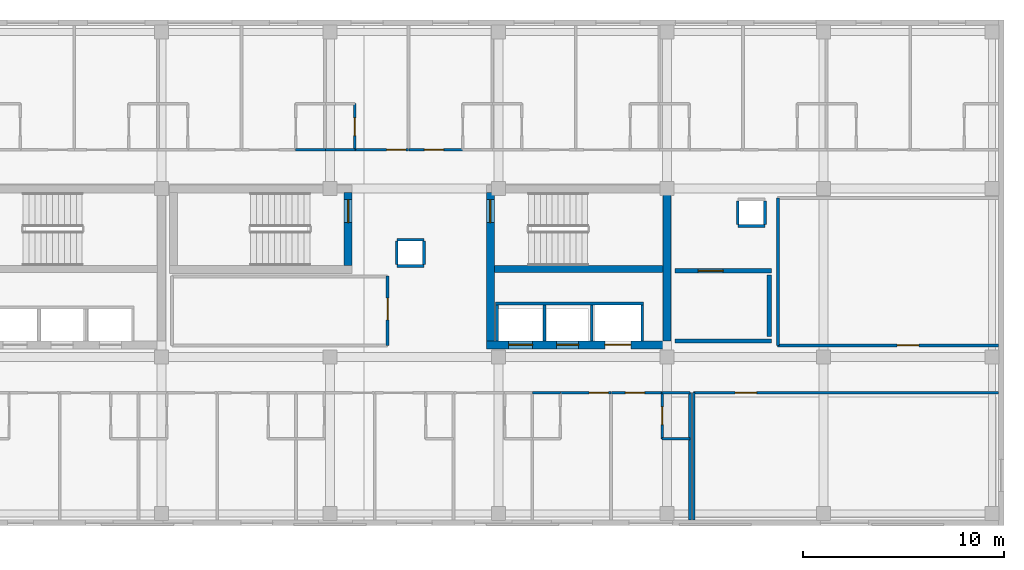
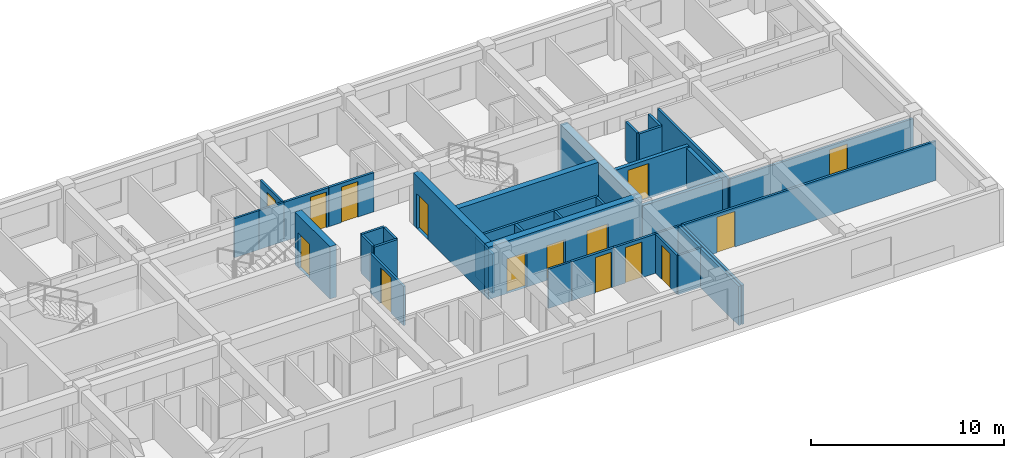
# One storey, part 6 of 10: 37 walls, 15 doors, 15 openings.
"""IFC4 building model written with IfcOpenShell, lengths in metres."""

import ifcopenshell
import ifcopenshell.guid

model = None  # the IFC model being written
_history = None  # IfcOwnerHistory: only IFC2X3 demands one
_inside = {}  # id of a spatial element -> (the spatial element, [elements in it])
_under = {}  # id of a project, library or spatial element -> (it, [spatial elements below it])
_declared = {}  # id of a project -> (the project, [libraries it declares])
_typed = {}  # id of a type object -> (the type object, [elements of that type])
_made_of = {}  # id of a material, layer set ... -> (it, [elements and type objects made of it])


def new_model(schema):
    """Start an empty IFC model of exactly this schema.

    Asked for "IFC4X3", IfcOpenShell would pick the latest addendum, in which some entities
    have other attributes; the version numbers below select the first issue.
    IFC2X3 requires an IfcOwnerHistory on every rooted entity: one is made here for all.
    """
    global model, _history
    if schema == "IFC4X3":
        model = ifcopenshell.file(schema_version=(4, 3, 0, 0))
    else:
        model = ifcopenshell.file(schema=schema)
    _inside.clear()
    _under.clear()
    _declared.clear()
    _typed.clear()
    _made_of.clear()
    _history = None
    if model.schema == "IFC2X3":
        org = make("IfcOrganization", Name="unknown")
        user = make(
            "IfcPersonAndOrganization",
            ThePerson=make("IfcPerson", FamilyName="unknown"),
            TheOrganization=org,
        )
        app = make(
            "IfcApplication",
            ApplicationDeveloper=org,
            Version="unknown",
            ApplicationFullName="unknown",
            ApplicationIdentifier="unknown",
        )
        _history = make(
            "IfcOwnerHistory",
            OwningUser=user,
            OwningApplication=app,
            ChangeAction="ADDED",
            CreationDate=0,
        )
    return model


def make(cls, **values):
    """One entity of the class cls with the attributes given. An attribute that is None is left unset."""
    return model.create_entity(
        cls, **{name: value for name, value in values.items() if value is not None}
    )


def rooted(cls, **values):
    """An entity with a GlobalId (a new one), such as an element, a storey or a relation."""
    return make(cls, GlobalId=ifcopenshell.guid.new(), OwnerHistory=_history, **values)


def si_unit(unit_type, name, prefix=None):
    """IfcSIUnit, for example si_unit("LENGTHUNIT", "METRE", prefix="MILLI")."""
    return make("IfcSIUnit", UnitType=unit_type, Prefix=prefix, Name=name)


def assignment(units):
    """IfcUnitAssignment: the units of a project."""
    return None if units is None else make("IfcUnitAssignment", Units=units)


def point(xyz):
    """IfcCartesianPoint."""
    return None if xyz is None else make("IfcCartesianPoint", Coordinates=xyz)


def direction(xyz):
    """IfcDirection."""
    return None if xyz is None else make("IfcDirection", DirectionRatios=xyz)


def frame(location, z_axis=None, x_axis=None):
    """IfcAxis2Placement3D, a coordinate frame: its origin and axes. An axis left out is left unset."""
    return make(
        "IfcAxis2Placement3D",
        Location=point(location),
        Axis=direction(z_axis),
        RefDirection=direction(x_axis),
    )


def frame_2d(location, x_axis=None):
    """IfcAxis2Placement2D, a coordinate frame in the plane: its origin and x axis."""
    return make(
        "IfcAxis2Placement2D", Location=point(location), RefDirection=direction(x_axis)
    )


def origin():
    """The frame at (0, 0, 0) with its axes left unset."""
    return frame((0.0, 0.0, 0.0))


def place(relative_to, where):
    """IfcLocalPlacement: puts the frame where relative to a parent placement (None: the world)."""
    return make(
        "IfcLocalPlacement", PlacementRelTo=relative_to, RelativePlacement=where
    )


def context(
    kind, dimensions, precision=None, world=None, true_north=None, identifier=None
):
    """IfcGeometricRepresentationContext, for example the 3D "Model" context."""
    return make(
        "IfcGeometricRepresentationContext",
        ContextIdentifier=identifier,
        ContextType=kind,
        CoordinateSpaceDimension=dimensions,
        Precision=precision,
        WorldCoordinateSystem=world,
        TrueNorth=true_north,
    )


def subcontext(parent, identifier, kind, view, scale=None):
    """IfcGeometricRepresentationSubContext, for example "Body" below "Model"."""
    return make(
        "IfcGeometricRepresentationSubContext",
        ContextIdentifier=identifier,
        ContextType=kind,
        ParentContext=parent,
        TargetScale=scale,
        TargetView=view,
    )


def project(units=None, contexts=None):
    """IfcProject with its units and contexts."""
    return rooted(
        "IfcProject",
        Name="project",
        RepresentationContexts=contexts,
        UnitsInContext=assignment(units),
    )


def spatial(cls, under=None, at=None, **own):
    """A site, building, storey or space (cls), placed at a placement, below another one or the project."""
    s = rooted(cls, ObjectPlacement=at, **own)
    if under is not None:
        _under.setdefault(under.id(), (under, []))[1].append(s)
    return s


def profile(cls, at=None, kind="AREA", **sizes):
    """A parametric profile (cls). Its sizes go by their IFC names, for example OverallWidth=200.0."""
    return make(cls, ProfileType=kind, Position=at, **sizes)


def rectangle(**sizes):
    """IfcRectangleProfileDef."""
    return profile("IfcRectangleProfileDef", **sizes)


def extrude(swept, where, along, depth):
    """IfcExtrudedAreaSolid: the profile swept, set in the frame where, extruded along a direction by depth."""
    return make(
        "IfcExtrudedAreaSolid",
        SweptArea=swept,
        Position=where,
        ExtrudedDirection=direction(along),
        Depth=depth,
    )


def shape(context_of_items, identifier, shape_type, items):
    """IfcShapeRepresentation: the items that make up one representation, for example the "Body"."""
    return make(
        "IfcShapeRepresentation",
        ContextOfItems=context_of_items,
        RepresentationIdentifier=identifier,
        RepresentationType=shape_type,
        Items=items,
    )


def material(Name=None, Category=None):
    """IfcMaterial."""
    return make("IfcMaterial", Name=Name, Category=Category)


def layer(
    of_material, thickness, ventilated=None, Name=None, Category=None, Priority=None
):
    """IfcMaterialLayer: one layer of a wall or slab, of a material (None: an air gap)."""
    return make(
        "IfcMaterialLayer",
        Material=of_material,
        LayerThickness=thickness,
        IsVentilated=ventilated,
        Name=Name,
        Category=Category,
        Priority=Priority,
    )


def layer_set(layers, Name=None):
    """IfcMaterialLayerSet."""
    return make("IfcMaterialLayerSet", MaterialLayers=layers, LayerSetName=Name)


def made_of(thing, what):
    """Note that an element or type object is made of a material, layer set ...; save() writes the relation."""
    if what is not None:
        _made_of.setdefault(what.id(), (what, []))[1].append(thing)
    return thing


def type_object(cls, material=None, **own):
    """A type object (cls), such as IfcWallType, which elements share."""
    return made_of(rooted(cls, **own), material)


def element(
    cls,
    number,
    at=None,
    inside=None,
    cuts=None,
    type_object=None,
    material=None,
    context=None,
    identifier="Body",
    shape_type=None,
    held_by="IfcProductDefinitionShape",
    body=None,
    shapes=None,
    **own,
):
    """One element of the class cls, such as IfcWall. Its Tag is "e" and its number.

    at: its placement. inside: the storey or other place that contains it. cuts: it is an
    opening in that element (IfcRelVoidsElement). A single representation is given by context,
    identifier, shape_type and body (its items); several are given by shapes. held_by: the class
    of the entity that holds the representations. save() writes the other relations.
    """
    e = rooted(cls, Tag="e%d" % number, ObjectPlacement=at, **own)
    if body is not None:
        shapes = [shape(context, identifier, shape_type, body)]
    if shapes is not None:
        e.Representation = make(held_by, Representations=shapes)
    if inside is not None:
        _inside.setdefault(inside.id(), (inside, []))[1].append(e)
    if cuts is not None:
        rooted(
            "IfcRelVoidsElement", RelatingBuildingElement=cuts, RelatedOpeningElement=e
        )
    if type_object is not None:
        _typed.setdefault(type_object.id(), (type_object, []))[1].append(e)
    return made_of(e, material)


def fill(opening, filler):
    """IfcRelFillsElement: the door or window that sits in an opening."""
    return rooted(
        "IfcRelFillsElement",
        RelatingOpeningElement=opening,
        RelatedBuildingElement=filler,
    )


def aggregate(whole, parts):
    """IfcRelAggregates: a whole, such as a stair, and the parts it consists of."""
    return rooted("IfcRelAggregates", RelatingObject=whole, RelatedObjects=parts)


def save(model, path):
    """Write the relations noted so far, then the file.

    IfcRelAggregates (storeys below a building ...), IfcRelContainedInSpatialStructure (elements
    in a storey), IfcRelDefinesByType, IfcRelAssociatesMaterial and IfcRelDeclares: one each for
    every whole, place, type object, material and project.
    """
    for whole, parts in _under.values():
        aggregate(whole, parts)
    for where, things in _inside.values():
        rooted(
            "IfcRelContainedInSpatialStructure",
            RelatedElements=things,
            RelatingStructure=where,
        )
    for kind, things in _typed.values():
        rooted("IfcRelDefinesByType", RelatedObjects=things, RelatingType=kind)
    for what, things in _made_of.values():
        rooted("IfcRelAssociatesMaterial", RelatedObjects=things, RelatingMaterial=what)
    for by, libraries in _declared.values():
        rooted("IfcRelDeclares", RelatingContext=by, RelatedDefinitions=libraries)
    model.write(path)


model = new_model("IFC4")

# Units and contexts
model_context = context("Model", 3, precision=1e-05, world=origin(), true_north=direction((0.0, 1.0)))
body_context = subcontext(model_context, "Body", "Model", "MODEL_VIEW")
ifc_project = project(units=[si_unit("LENGTHUNIT", "METRE"), si_unit("AREAUNIT", "SQUARE_METRE"), si_unit("VOLUMEUNIT", "CUBIC_METRE"), si_unit("PLANEANGLEUNIT", "RADIAN"), si_unit("MASSUNIT", "GRAM", prefix="KILO")], contexts=[model_context])

# Site, building, storey
site_placement = place(None, origin())
site = spatial("IfcSite", under=ifc_project, at=site_placement, CompositionType="ELEMENT")
building_placement = place(site_placement, origin())
building = spatial("IfcBuilding", under=site, at=building_placement, Name="Zayran Congress Hotel", CompositionType="ELEMENT")
storey_placement = place(building_placement, frame((0.0, 0.0, 30.0)))
storey = spatial("IfcBuildingStorey", under=building, at=storey_placement, Name="L07", CompositionType="ELEMENT", Elevation=30.0)

# Wall, openings, doors
ifc_material_1 = material(Name="Concrete C40/50", Category="concrete")
ifc_layer_1 = layer(ifc_material_1, 0.39990234375)
ifc_layer_set_1 = layer_set([ifc_layer_1], Name="Concrete C40/50")
wall_type_1 = type_object("IfcWallType", Name="WL-SH-400", PredefinedType="SHEAR", material=ifc_layer_set_1)
wall_1_placement = place(storey_placement, frame((49.800048828125, 17.800048828125, 0.0), z_axis=(0.0, 0.0, 1.0), x_axis=(1.0, 0.0, 0.0)))
wall_1 = element("IfcWall", 1, at=wall_1_placement, inside=storey, type_object=wall_type_1, Name="CWALL-C-V5E-L07-S", PredefinedType="SHEAR", context=body_context, shape_type="SweptSolid", body=[
    extrude(rectangle(XDim=9.199951171875, YDim=0.39990234375, at=frame_2d((4.60009765625, 0.0))), origin(), (0.0, 0.0, 1.0), 3.320068359375),
])
opening_1_placement = place(wall_1_placement, frame((1.10009765625, 0.0, 0.0)))
opening_1 = element("IfcOpeningElement", 2, at=opening_1_placement, cuts=wall_1, Name="Opening LD-FL02", PredefinedType="OPENING", context=body_context, shape_type="SweptSolid", body=[
    extrude(rectangle(XDim=1.199951171875, YDim=2.199951171875, at=frame_2d((0.60009765625, 1.10009765625))), frame((0.0, 0.2099609375, 0.0), z_axis=(0.0, -1.0, 0.0), x_axis=(1.0, 0.0, 0.0)), (0.0, 0.0, 1.0), 0.419921875),
])
opening_2_placement = place(wall_1_placement, frame((3.5, 0.0, 0.0)))
opening_2 = element("IfcOpeningElement", 3, at=opening_2_placement, cuts=wall_1, Name="Opening LD-PL03", PredefinedType="OPENING", context=body_context, shape_type="SweptSolid", body=[
    extrude(rectangle(XDim=1.10009765625, YDim=2.199951171875, at=frame_2d((0.550048828125, 1.10009765625))), frame((0.0, 0.2099609375, 0.0), z_axis=(0.0, -1.0, 0.0), x_axis=(1.0, 0.0, 0.0)), (0.0, 0.0, 1.0), 0.419921875),
])
opening_3_placement = place(wall_1_placement, frame((5.89990234375, 0.0, 0.0)))
opening_3 = element("IfcOpeningElement", 4, at=opening_3_placement, cuts=wall_1, Name="Opening LD-SV01", PredefinedType="OPENING", context=body_context, shape_type="SweptSolid", body=[
    extrude(rectangle(XDim=1.300048828125, YDim=2.300048828125, at=frame_2d((0.64990234375, 1.14990234375))), frame((0.0, 0.2099609375, 0.0), z_axis=(0.0, -1.0, 0.0), x_axis=(1.0, 0.0, 0.0)), (0.0, 0.0, 1.0), 0.419921875),
])
ifc_material_2 = material(Name="Brushed stainless steel sliding lift landing door", Category="steel")
door_type_1 = type_object("IfcDoorType", Name="TP-DR-LD-01", OperationType="DOUBLE_DOOR_SLIDING", PredefinedType="DOOR", material=ifc_material_2)
door_1_placement = place(opening_2_placement, origin())
door_1 = element("IfcDoor", 5, at=door_1_placement, inside=storey, type_object=door_type_1, Name="Lift PL-03 Sliding Landing Door L07", OperationType="DOUBLE_DOOR_SLIDING", OverallHeight=2.199951171875, OverallWidth=1.10009765625, PredefinedType="DOOR", context=body_context, shape_type="SweptSolid", body=[
    extrude(rectangle(XDim=1.10009765625, YDim=2.199951171875, at=frame_2d((0.550048828125, 1.10009765625))), frame((0.0, 0.02490234375, 0.0), z_axis=(0.0, -1.0, 0.0), x_axis=(1.0, 0.0, 0.0)), (0.0, 0.0, 1.0), 0.050048828125),
])
fill(opening_2, door_1)
ifc_material_3 = material(Name="Brushed stainless steel firefighting lift landing door", Category="steel")
door_type_2 = type_object("IfcDoorType", Name="TP-DR-LD-02", OperationType="DOUBLE_DOOR_SLIDING", PredefinedType="DOOR", material=ifc_material_3)
door_2_placement = place(opening_1_placement, origin())
door_2 = element("IfcDoor", 6, at=door_2_placement, inside=storey, type_object=door_type_2, Name="Lift FL-02 Sliding Landing Door L07", OperationType="DOUBLE_DOOR_SLIDING", OverallHeight=2.199951171875, OverallWidth=1.199951171875, PredefinedType="DOOR", context=body_context, shape_type="SweptSolid", body=[
    extrude(rectangle(XDim=1.199951171875, YDim=2.199951171875, at=frame_2d((0.60009765625, 1.10009765625))), frame((0.0, 0.02490234375, 0.0), z_axis=(0.0, -1.0, 0.0), x_axis=(1.0, 0.0, 0.0)), (0.0, 0.0, 1.0), 0.050048828125),
])
fill(opening_1, door_2)
ifc_material_4 = material(Name="Heavy-duty stainless steel service lift landing door", Category="steel")
door_type_3 = type_object("IfcDoorType", Name="TP-DR-LD-03", OperationType="DOUBLE_DOOR_SLIDING", PredefinedType="DOOR", material=ifc_material_4)
door_3_placement = place(opening_3_placement, origin())
door_3 = element("IfcDoor", 7, at=door_3_placement, inside=storey, type_object=door_type_3, Name="Lift SV-01 Sliding Landing Door L07", OperationType="DOUBLE_DOOR_SLIDING", OverallHeight=2.300048828125, OverallWidth=1.300048828125, PredefinedType="DOOR", context=body_context, shape_type="SweptSolid", body=[
    extrude(rectangle(XDim=1.300048828125, YDim=2.300048828125, at=frame_2d((0.64990234375, 1.14990234375))), frame((0.0, 0.02490234375, 0.0), z_axis=(0.0, -1.0, 0.0), x_axis=(1.0, 0.0, 0.0)), (0.0, 0.0, 1.0), 0.050048828125),
])
fill(opening_3, door_3)

# Wall, opening, door
wall_2_placement = place(storey_placement, frame((50.0, 25.39990234375, 0.0), z_axis=(0.0, 0.0, 1.0), x_axis=(0.0, -1.0, 0.0)))
wall_2 = element("IfcWall", 8, at=wall_2_placement, inside=storey, type_object=wall_type_1, Name="CWALL-C-V5E-L07-W", PredefinedType="SHEAR", context=body_context, shape_type="SweptSolid", body=[
    extrude(rectangle(XDim=7.39990234375, YDim=0.39990234375, at=frame_2d((3.699951171875, 0.0))), origin(), (0.0, 0.0, 1.0), 3.320068359375),
])
opening_4_placement = place(wall_2_placement, frame((0.35009765625, 0.0, 0.0)))
opening_4 = element("IfcOpeningElement", 9, at=opening_4_placement, cuts=wall_2, Name="Opening DR-FD-90", PredefinedType="OPENING", context=body_context, shape_type="SweptSolid", body=[
    extrude(rectangle(XDim=1.14990234375, YDim=2.199951171875, at=frame_2d((0.574951171875, 1.10009765625))), frame((0.0, 0.2099609375, 0.0), z_axis=(0.0, -1.0, 0.0), x_axis=(1.0, 0.0, 0.0)), (0.0, 0.0, 1.0), 0.419921875),
])
ifc_material_5 = material(Name="Painted steel fire door assembly", Category="steel")
door_type_4 = type_object("IfcDoorType", Name="TP-DR-FD-90", OperationType="NOTDEFINED", PredefinedType="DOOR", material=ifc_material_5)
door_4_placement = place(opening_4_placement, origin())
door_4 = element("IfcDoor", 10, at=door_4_placement, inside=storey, type_object=door_type_4, Name="ST-02 Exit Stair Door L07", OperationType="SINGLE_SWING_LEFT", OverallHeight=2.199951171875, OverallWidth=1.14990234375, PredefinedType="DOOR", context=body_context, shape_type="SweptSolid", body=[
    extrude(rectangle(XDim=1.14990234375, YDim=2.199951171875, at=frame_2d((0.574951171875, 1.10009765625))), frame((0.0, 0.02490234375, 0.0), z_axis=(0.0, -1.0, 0.0), x_axis=(1.0, 0.0, 0.0)), (0.0, 0.0, 1.0), 0.050048828125),
])
fill(opening_4, door_4)

# Wall
wall_3_placement = place(storey_placement, frame((58.800048828125, 18.0, 0.0), z_axis=(0.0, 0.0, 1.0), x_axis=(0.0, 1.0, 0.0)))
element("IfcWall", 11, at=wall_3_placement, inside=storey, type_object=wall_type_1, Name="CWALL-C-V5E-L07-E", PredefinedType="SHEAR", context=body_context, shape_type="SweptSolid", body=[
    extrude(rectangle(XDim=7.39990234375, YDim=0.39990234375, at=frame_2d((3.699951171875, 0.0))), origin(), (0.0, 0.0, 1.0), 3.320068359375),
])

# Wall, opening, door
wall_4_placement = place(storey_placement, frame((42.89990234375, 21.760009765625, 0.0), z_axis=(0.0, 0.0, 1.0), x_axis=(0.0, 1.0, 0.0)))
wall_4 = element("IfcWall", 12, at=wall_4_placement, inside=storey, type_object=wall_type_1, Name="CWALL-C-V5M-L07-E", PredefinedType="SHEAR", context=body_context, shape_type="SweptSolid", body=[
    extrude(rectangle(XDim=3.639892578125, YDim=0.39990234375, at=frame_2d((1.81982421875, 0.0))), origin(), (0.0, 0.0, 1.0), 3.320068359375),
])
opening_5_placement = place(wall_4_placement, frame((2.139892578125, 0.0, 0.0)))
opening_5 = element("IfcOpeningElement", 13, at=opening_5_placement, cuts=wall_4, Name="Opening DR-FD-90", PredefinedType="OPENING", context=body_context, shape_type="SweptSolid", body=[
    extrude(rectangle(XDim=1.14990234375, YDim=2.199951171875, at=frame_2d((0.574951171875, 1.10009765625))), frame((0.0, 0.2099609375, 0.0), z_axis=(0.0, -1.0, 0.0), x_axis=(1.0, 0.0, 0.0)), (0.0, 0.0, 1.0), 0.419921875),
])
door_5_placement = place(opening_5_placement, origin())
door_5 = element("IfcDoor", 14, at=door_5_placement, inside=storey, type_object=door_type_4, Name="ST-13 Exit Stair Door L07", OperationType="SINGLE_SWING_LEFT", OverallHeight=2.199951171875, OverallWidth=1.14990234375, PredefinedType="DOOR", context=body_context, shape_type="SweptSolid", body=[
    extrude(rectangle(XDim=1.14990234375, YDim=2.199951171875, at=frame_2d((0.574951171875, 1.10009765625))), frame((0.0, 0.02490234375, 0.0), z_axis=(0.0, -1.0, 0.0), x_axis=(1.0, 0.0, 0.0)), (0.0, 0.0, 1.0), 0.050048828125),
])
fill(opening_5, door_5)

# Walls
ifc_layer_2 = layer(ifc_material_1, 0.35009765625)
ifc_layer_set_2 = layer_set([ifc_layer_2], Name="Concrete C40/50")
wall_type_2 = type_object("IfcWallType", Name="WL-SH-350", PredefinedType="SHEAR", material=ifc_layer_set_2)
wall_5_placement = place(storey_placement, frame((50.199951171875, 21.5849609375, 0.0), z_axis=(0.0, 0.0, 1.0), x_axis=(1.0, 0.0, 0.0)))
element("IfcWall", 15, at=wall_5_placement, inside=storey, type_object=wall_type_2, Name="CWALL-C-V5E-L07-SPN", PredefinedType="SHEAR", context=body_context, shape_type="SweptSolid", body=[
    extrude(rectangle(XDim=8.400146484375, YDim=0.35009765625, at=frame_2d((4.2001953125, 0.0))), origin(), (0.0, 0.0, 1.0), 3.320068359375),
])
ifc_material_6 = material(Name="Concrete C32/40 fire wall", Category="concrete")
ifc_layer_3 = layer(ifc_material_6, 0.219970703125)
ifc_layer_set_3 = layer_set([ifc_layer_3], Name="Concrete C32/40 fire wall")
wall_type_3 = type_object("IfcWallType", Name="WL-FF-220", PredefinedType="SOLIDWALL", material=ifc_layer_set_3)
wall_6_placement = place(storey_placement, frame((59.199951171875, 18.0, 0.0), z_axis=(0.0, 0.0, 1.0), x_axis=(1.0, 0.0, 0.0)))
element("IfcWall", 16, at=wall_6_placement, inside=storey, type_object=wall_type_3, Name="FFWL-C-V5E-L07-S", PredefinedType="SOLIDWALL", context=body_context, shape_type="SweptSolid", body=[
    extrude(rectangle(XDim=4.800048828125, YDim=0.219970703125, at=frame_2d((2.39990234375, 0.0))), origin(), (0.0, 0.0, 1.0), 2.469970703125),
])

# Wall, opening, door
wall_7_placement = place(storey_placement, frame((59.199951171875, 21.5, 0.0), z_axis=(0.0, 0.0, 1.0), x_axis=(1.0, 0.0, 0.0)))
wall_7 = element("IfcWall", 17, at=wall_7_placement, inside=storey, type_object=wall_type_3, Name="FFWL-C-V5E-L07-N", PredefinedType="SOLIDWALL", context=body_context, shape_type="SweptSolid", body=[
    extrude(rectangle(XDim=4.800048828125, YDim=0.219970703125, at=frame_2d((2.39990234375, 0.0))), origin(), (0.0, 0.0, 1.0), 2.469970703125),
])
opening_6_placement = place(wall_7_placement, frame((1.14990234375, 0.0, 0.0)))
opening_6 = element("IfcOpeningElement", 18, at=opening_6_placement, cuts=wall_7, Name="Opening DR-FF-60", PredefinedType="OPENING", context=body_context, shape_type="SweptSolid", body=[
    extrude(rectangle(XDim=1.25, YDim=2.199951171875, at=frame_2d((0.625, 1.10009765625))), frame((0.0, 0.119873046875, 0.0), z_axis=(0.0, -1.0, 0.0), x_axis=(1.0, 0.0, 0.0)), (0.0, 0.0, 1.0), 0.239990234375),
])
ifc_material_7 = material(Name="Painted steel smoke-seal fire door", Category="steel")
door_type_5 = type_object("IfcDoorType", Name="TP-DR-FF-60", OperationType="NOTDEFINED", PredefinedType="DOOR", material=ifc_material_7)
door_6_placement = place(opening_6_placement, origin())
door_6 = element("IfcDoor", 19, at=door_6_placement, inside=storey, type_object=door_type_5, Name="Firefighting Lift Lobby Door C-V5E L07", OperationType="SINGLE_SWING_RIGHT", OverallHeight=2.199951171875, OverallWidth=1.25, PredefinedType="DOOR", context=body_context, shape_type="SweptSolid", body=[
    extrude(rectangle(XDim=1.25, YDim=2.199951171875, at=frame_2d((0.625, 1.10009765625))), frame((0.0, 0.02490234375, 0.0), z_axis=(0.0, -1.0, 0.0), x_axis=(1.0, 0.0, 0.0)), (0.0, 0.0, 1.0), 0.050048828125),
])
fill(opening_6, door_6)

# Walls
wall_8_placement = place(storey_placement, frame((63.889892578125, 18.219970703125, 0.0), z_axis=(0.0, 0.0, 1.0), x_axis=(0.0, 1.0, 0.0)))
element("IfcWall", 20, at=wall_8_placement, inside=storey, type_object=wall_type_3, Name="FFWL-C-V5E-L07-SD", PredefinedType="SOLIDWALL", context=body_context, shape_type="SweptSolid", body=[
    extrude(rectangle(XDim=3.06005859375, YDim=0.219970703125, at=frame_2d((1.530029296875, 0.0))), origin(), (0.0, 0.0, 1.0), 2.469970703125),
])
ifc_material_8 = material(Name="Hospitality guestroom acoustic partition", Category="gypsum")
ifc_layer_4 = layer(ifc_material_8, 0.139892578125)
ifc_layer_set_4 = layer_set([ifc_layer_4], Name="Hospitality guestroom acoustic partition")
wall_type_4 = type_object("IfcWallType", Name="WL-PT-140", PredefinedType="PARTITIONING", material=ifc_layer_set_4)
for number, where, z_axis, x_axis, name in (
    (21, (50.330078125, 18.0, 0.0), (0.0, 0.0, 1.0), (0.0, 1.0, 0.0), "LSHW-C-V5E-L07-W"),
    (22, (52.699951171875, 18.0, 0.0), (0.0, 0.0, 1.0), (0.0, 1.0, 0.0), "LSHW-C-V5E-L07-DIV1"),
    (23, (55.050048828125, 18.0, 0.0), (0.0, 0.0, 1.0), (0.0, 1.0, 0.0), "LSHW-C-V5E-L07-DIV2"),
    (24, (57.570068359375, 18.0, 0.0), (0.0, 0.0, 1.0), (0.0, 1.0, 0.0), "LSHW-C-V5E-L07-E"),
):
    element("IfcWall", number, at=place(storey_placement, frame(where, z_axis=z_axis, x_axis=x_axis)), inside=storey, type_object=wall_type_4, Name=name, PredefinedType="PARTITIONING", context=body_context, shape_type="SweptSolid", body=[
        extrude(rectangle(XDim=1.800048828125, YDim=0.139892578125, at=frame_2d((0.89990234375, 0.0))), origin(), (0.0, 0.0, 1.0), 2.469970703125),
    ])
wall_9_placement = place(storey_placement, frame((50.260009765625, 19.8701171875, 0.0), z_axis=(0.0, 0.0, 1.0), x_axis=(1.0, 0.0, 0.0)))
element("IfcWall", 25, at=wall_9_placement, inside=storey, type_object=wall_type_4, Name="LSHW-C-V5E-L07-N", PredefinedType="PARTITIONING", context=body_context, shape_type="SweptSolid", body=[
    extrude(rectangle(XDim=7.3798828125, YDim=0.139892578125, at=frame_2d((3.68994140625, 0.0))), origin(), (0.0, 0.0, 1.0), 2.469970703125),
])

# Wall, opening, door
wall_10_placement = place(storey_placement, frame((44.8701171875, 17.77001953125, 0.0), z_axis=(0.0, 0.0, 1.0), x_axis=(0.0, 1.0, 0.0)))
wall_10 = element("IfcWall", 26, at=wall_10_placement, inside=storey, type_object=wall_type_4, Name="IW-L07-0722", PredefinedType="PARTITIONING", context=body_context, shape_type="SweptSolid", body=[
    extrude(rectangle(XDim=3.4599609375, YDim=0.139892578125, at=frame_2d((1.72998046875, 0.0))), origin(), (0.0, 0.0, 1.0), 2.47998046875),
])
opening_7_placement = place(wall_10_placement, frame((1.283935546875, 0.0, 0.0)))
opening_7 = element("IfcOpeningElement", 27, at=opening_7_placement, cuts=wall_10, Name="Opening DR-MT-01", PredefinedType="OPENING", context=body_context, shape_type="SweptSolid", body=[
    extrude(rectangle(XDim=1.080078125, YDim=2.25, at=frame_2d((0.5400390625, 1.125))), frame((0.0, 0.079833984375, 0.0), z_axis=(0.0, -1.0, 0.0), x_axis=(1.0, 0.0, 0.0)), (0.0, 0.0, 1.0), 0.159912109375),
])
ifc_material_9 = material(Name="Acoustic timber seminar room door", Category="wood")
door_type_6 = type_object("IfcDoorType", Name="TP-DR-MT-01", OperationType="NOTDEFINED", PredefinedType="DOOR", material=ifc_material_9)
door_7_placement = place(opening_7_placement, origin())
door_7 = element("IfcDoor", 28, at=door_7_placement, inside=storey, type_object=door_type_6, Name="Hospitality Gallery Lounge L07 Door", OperationType="SINGLE_SWING_RIGHT", OverallHeight=2.25, OverallWidth=1.080078125, PredefinedType="DOOR", context=body_context, shape_type="SweptSolid", body=[
    extrude(rectangle(XDim=1.080078125, YDim=2.25, at=frame_2d((0.5400390625, 1.125))), frame((0.0, 0.02490234375, 0.0), z_axis=(0.0, -1.0, 0.0), x_axis=(1.0, 0.0, 0.0)), (0.0, 0.0, 1.0), 0.050048828125),
])
fill(opening_7, door_7)

wall_11_placement = place(storey_placement, frame((64.320068359375, 17.780029296875, 0.0), z_axis=(0.0, 0.0, 1.0), x_axis=(1.0, 0.0, 0.0)))
wall_11 = element("IfcWall", 29, at=wall_11_placement, inside=storey, type_object=wall_type_4, Name="IW-L07-0724", PredefinedType="PARTITIONING", context=body_context, shape_type="SweptSolid", body=[
    extrude(rectangle(XDim=11.0, YDim=0.139892578125, at=frame_2d((5.5, 0.0))), origin(), (0.0, 0.0, 1.0), 2.47998046875),
])
opening_8_placement = place(wall_11_placement, frame((5.9580078125, 0.0, 0.0)))
opening_8 = element("IfcOpeningElement", 30, at=opening_8_placement, cuts=wall_11, Name="Opening DR-MT-01", PredefinedType="OPENING", context=body_context, shape_type="SweptSolid", body=[
    extrude(rectangle(XDim=1.080078125, YDim=2.25, at=frame_2d((0.5400390625, 1.125))), frame((0.0, 0.079833984375, 0.0), z_axis=(0.0, -1.0, 0.0), x_axis=(1.0, 0.0, 0.0)), (0.0, 0.0, 1.0), 0.159912109375),
])
door_8_placement = place(opening_8_placement, origin())
door_8 = element("IfcDoor", 31, at=door_8_placement, inside=storey, type_object=door_type_6, Name="Delegate Study Salon East L07 Door", OperationType="SINGLE_SWING_RIGHT", OverallHeight=2.25, OverallWidth=1.080078125, PredefinedType="DOOR", context=body_context, shape_type="SweptSolid", body=[
    extrude(rectangle(XDim=1.080078125, YDim=2.25, at=frame_2d((0.5400390625, 1.125))), frame((0.0, 0.02490234375, 0.0), z_axis=(0.0, -1.0, 0.0), x_axis=(1.0, 0.0, 0.0)), (0.0, 0.0, 1.0), 0.050048828125),
])
fill(opening_8, door_8)

wall_12_placement = place(storey_placement, frame((60.1201171875, 15.419921875, 0.0), z_axis=(0.0, 0.0, 1.0), x_axis=(1.0, 0.0, 0.0)))
wall_12 = element("IfcWall", 32, at=wall_12_placement, inside=storey, type_object=wall_type_4, Name="IW-L07-0725", PredefinedType="PARTITIONING", context=body_context, shape_type="SweptSolid", body=[
    extrude(rectangle(XDim=15.199951171875, YDim=0.139892578125, at=frame_2d((7.60009765625, 0.0))), origin(), (0.0, 0.0, 1.0), 2.47998046875),
])
opening_9_placement = place(wall_12_placement, frame((2.071044921875, 0.0, 0.0)))
opening_9 = element("IfcOpeningElement", 33, at=opening_9_placement, cuts=wall_12, Name="Opening DR-MT-01", PredefinedType="OPENING", context=body_context, shape_type="SweptSolid", body=[
    extrude(rectangle(XDim=1.080078125, YDim=2.25, at=frame_2d((0.5400390625, 1.125))), frame((0.0, 0.079833984375, 0.0), z_axis=(0.0, -1.0, 0.0), x_axis=(1.0, 0.0, 0.0)), (0.0, 0.0, 1.0), 0.159912109375),
])
door_9_placement = place(opening_9_placement, origin())
door_9 = element("IfcDoor", 34, at=door_9_placement, inside=storey, type_object=door_type_6, Name="Executive Club Lounge L07 Door", OperationType="SINGLE_SWING_LEFT", OverallHeight=2.25, OverallWidth=1.080078125, PredefinedType="DOOR", context=body_context, shape_type="SweptSolid", body=[
    extrude(rectangle(XDim=1.080078125, YDim=2.25, at=frame_2d((0.5400390625, 1.125))), frame((0.0, 0.02490234375, 0.0), z_axis=(0.0, -1.0, 0.0), x_axis=(1.0, 0.0, 0.0)), (0.0, 0.0, 1.0), 0.050048828125),
])
fill(opening_9, door_9)

wall_13_placement = place(storey_placement, frame((53.489013671875, 15.419921875, 0.0), z_axis=(0.0, 0.0, 1.0), x_axis=(1.0, 0.0, 0.0)))
wall_13 = element("IfcWall", 35, at=wall_13_placement, inside=storey, type_object=wall_type_4, Name="IW-L07-0737", PredefinedType="PARTITIONING", context=body_context, shape_type="SweptSolid", body=[
    extrude(rectangle(XDim=2.52392578125, YDim=0.139892578125, at=frame_2d((1.261962890625, 0.0))), origin(), (0.0, 0.0, 1.0), 2.47998046875),
])
opening_10_placement = place(wall_13_placement, frame((1.424072265625, 0.0, 0.0)))
opening_10 = element("IfcOpeningElement", 36, at=opening_10_placement, cuts=wall_13, Name="Opening DR-GR-03", PredefinedType="OPENING", context=body_context, shape_type="SweptSolid", body=[
    extrude(rectangle(XDim=0.9599609375, YDim=2.25, at=frame_2d((0.47998046875, 1.125))), frame((0.0, 0.079833984375, 0.0), z_axis=(0.0, -1.0, 0.0), x_axis=(1.0, 0.0, 0.0)), (0.0, 0.0, 1.0), 0.159912109375),
])
ifc_material_10 = material(Name="Executive walnut veneer entry door", Category="wood")
door_type_7 = type_object("IfcDoorType", Name="TP-DR-GR-03", OperationType="NOTDEFINED", PredefinedType="DOOR", material=ifc_material_10)
door_10_placement = place(opening_10_placement, origin())
door_10 = element("IfcDoor", 37, at=door_10_placement, inside=storey, type_object=door_type_7, Name="Guest Room L07-12 Door", OperationType="SINGLE_SWING_LEFT", OverallHeight=2.25, OverallWidth=0.9599609375, PredefinedType="DOOR", context=body_context, shape_type="SweptSolid", body=[
    extrude(rectangle(XDim=0.9599609375, YDim=2.25, at=frame_2d((0.47998046875, 1.125))), frame((0.0, 0.02490234375, 0.0), z_axis=(0.0, -1.0, 0.0), x_axis=(1.0, 0.0, 0.0)), (0.0, 0.0, 1.0), 0.050048828125),
])
fill(opening_10, door_10)

wall_14_placement = place(storey_placement, frame((56.032958984375, 15.419921875, 0.0), z_axis=(0.0, 0.0, 1.0), x_axis=(1.0, 0.0, 0.0)))
wall_14 = element("IfcWall", 38, at=wall_14_placement, inside=storey, type_object=wall_type_4, Name="IW-L07-0738", PredefinedType="PARTITIONING", context=body_context, shape_type="SweptSolid", body=[
    extrude(rectangle(XDim=2.52392578125, YDim=0.139892578125, at=frame_2d((1.261962890625, 0.0))), origin(), (0.0, 0.0, 1.0), 2.47998046875),
])
opening_11_placement = place(wall_14_placement, frame((0.68994140625, 0.0, 0.0)))
opening_11 = element("IfcOpeningElement", 39, at=opening_11_placement, cuts=wall_14, Name="Opening DR-GR-03", PredefinedType="OPENING", context=body_context, shape_type="SweptSolid", body=[
    extrude(rectangle(XDim=0.9599609375, YDim=2.25, at=frame_2d((0.47998046875, 1.125))), frame((0.0, 0.079833984375, 0.0), z_axis=(0.0, -1.0, 0.0), x_axis=(1.0, 0.0, 0.0)), (0.0, 0.0, 1.0), 0.159912109375),
])
door_11_placement = place(opening_11_placement, origin())
door_11 = element("IfcDoor", 40, at=door_11_placement, inside=storey, type_object=door_type_7, Name="Guest Room L07-13 Door", OperationType="SINGLE_SWING_RIGHT", OverallHeight=2.25, OverallWidth=0.9599609375, PredefinedType="DOOR", context=body_context, shape_type="SweptSolid", body=[
    extrude(rectangle(XDim=0.9599609375, YDim=2.25, at=frame_2d((0.47998046875, 1.125))), frame((0.0, 0.02490234375, 0.0), z_axis=(0.0, -1.0, 0.0), x_axis=(1.0, 0.0, 0.0)), (0.0, 0.0, 1.0), 0.050048828125),
])
fill(opening_11, door_11)

wall_15_placement = place(storey_placement, frame((43.237060546875, 27.530029296875, 0.0), z_axis=(0.0, 0.0, 1.0), x_axis=(1.0, 0.0, 0.0)))
wall_15 = element("IfcWall", 41, at=wall_15_placement, inside=storey, type_object=wall_type_4, Name="IW-L07-0746", PredefinedType="PARTITIONING", context=body_context, shape_type="SweptSolid", body=[
    extrude(rectangle(XDim=2.68505859375, YDim=0.139892578125, at=frame_2d((1.342529296875, 0.0))), origin(), (0.0, 0.0, 1.0), 2.47998046875),
])
opening_12_placement = place(wall_15_placement, frame((1.5849609375, 0.0, 0.0)))
opening_12 = element("IfcOpeningElement", 42, at=opening_12_placement, cuts=wall_15, Name="Opening DR-GR-03", PredefinedType="OPENING", context=body_context, shape_type="SweptSolid", body=[
    extrude(rectangle(XDim=0.9599609375, YDim=2.25, at=frame_2d((0.47998046875, 1.125))), frame((0.0, 0.079833984375, 0.0), z_axis=(0.0, -1.0, 0.0), x_axis=(1.0, 0.0, 0.0)), (0.0, 0.0, 1.0), 0.159912109375),
])
door_12_placement = place(opening_12_placement, origin())
door_12 = element("IfcDoor", 43, at=door_12_placement, inside=storey, type_object=door_type_7, Name="Guest Room L07-19 Door", OperationType="SINGLE_SWING_RIGHT", OverallHeight=2.25, OverallWidth=0.9599609375, PredefinedType="DOOR", context=body_context, shape_type="SweptSolid", body=[
    extrude(rectangle(XDim=0.9599609375, YDim=2.25, at=frame_2d((0.47998046875, 1.125))), frame((0.0, 0.02490234375, 0.0), z_axis=(0.0, -1.0, 0.0), x_axis=(1.0, 0.0, 0.0)), (0.0, 0.0, 1.0), 0.050048828125),
])
fill(opening_12, door_12)

wall_16_placement = place(storey_placement, frame((45.94189453125, 27.530029296875, 0.0), z_axis=(0.0, 0.0, 1.0), x_axis=(1.0, 0.0, 0.0)))
wall_16 = element("IfcWall", 44, at=wall_16_placement, inside=storey, type_object=wall_type_4, Name="IW-L07-0747", PredefinedType="PARTITIONING", context=body_context, shape_type="SweptSolid", body=[
    extrude(rectangle(XDim=2.68408203125, YDim=0.139892578125, at=frame_2d((1.342041015625, 0.0))), origin(), (0.0, 0.0, 1.0), 2.47998046875),
])
opening_13_placement = place(wall_16_placement, frame((0.759033203125, 0.0, 0.0)))
opening_13 = element("IfcOpeningElement", 45, at=opening_13_placement, cuts=wall_16, Name="Opening DR-GR-03", PredefinedType="OPENING", context=body_context, shape_type="SweptSolid", body=[
    extrude(rectangle(XDim=0.9599609375, YDim=2.25, at=frame_2d((0.47998046875, 1.125))), frame((0.0, 0.079833984375, 0.0), z_axis=(0.0, -1.0, 0.0), x_axis=(1.0, 0.0, 0.0)), (0.0, 0.0, 1.0), 0.159912109375),
])
door_13_placement = place(opening_13_placement, origin())
door_13 = element("IfcDoor", 46, at=door_13_placement, inside=storey, type_object=door_type_7, Name="Guest Room L07-20 Door", OperationType="SINGLE_SWING_LEFT", OverallHeight=2.25, OverallWidth=0.9599609375, PredefinedType="DOOR", context=body_context, shape_type="SweptSolid", body=[
    extrude(rectangle(XDim=0.9599609375, YDim=2.25, at=frame_2d((0.47998046875, 1.125))), frame((0.0, 0.02490234375, 0.0), z_axis=(0.0, -1.0, 0.0), x_axis=(1.0, 0.0, 0.0)), (0.0, 0.0, 1.0), 0.050048828125),
])
fill(opening_13, door_13)

# Walls
wall_17_placement = place(storey_placement, frame((64.330078125, 17.77001953125, 0.0), z_axis=(0.0, 0.0, 1.0), x_axis=(0.0, 1.0, 0.0)))
element("IfcWall", 47, at=wall_17_placement, inside=storey, type_object=wall_type_4, Name="IW-L07-2057", PredefinedType="PARTITIONING", context=body_context, shape_type="SweptSolid", body=[
    extrude(rectangle(XDim=7.35986328125, YDim=0.139892578125, at=frame_2d((3.679931640625, 0.0))), origin(), (0.0, 0.0, 1.0), 2.47998046875),
])
for number, where, z_axis, x_axis, name in (
    (48, (60.1298828125, 9.080078125, 0.0), (0.0, 0.0, 1.0), (0.0, 1.0, 0.0), "IW-L07-2058"),
    (49, (59.93994140625, 9.080078125, 0.0), (0.0, 0.0, 1.0), (0.0, 1.0, 0.0), "IW-L07-2071"),
):
    element("IfcWall", number, at=place(storey_placement, frame(where, z_axis=z_axis, x_axis=x_axis)), inside=storey, type_object=wall_type_4, Name=name, PredefinedType="PARTITIONING", context=body_context, shape_type="SweptSolid", body=[
        extrude(rectangle(XDim=6.349853515625, YDim=0.139892578125, at=frame_2d((3.1748046875, 0.0))), origin(), (0.0, 0.0, 1.0), 2.47998046875),
    ])
for number, where, z_axis, x_axis, name in (
    (50, (45.330078125, 21.72998046875, 0.0), (0.0, 0.0, 1.0), (1.0, 0.0, 0.0), "RSWL-V5-L07-045-S"),
    (51, (46.68994140625, 23.050048828125, 0.0), (0.0, 0.0, 1.0), (-1.0, 0.0, 0.0), "RSWL-V5-L07-045-N"),
):
    element("IfcWall", number, at=place(storey_placement, frame(where, z_axis=z_axis, x_axis=x_axis)), inside=storey, type_object=wall_type_4, Name=name, PredefinedType="PARTITIONING", context=body_context, shape_type="SweptSolid", body=[
        extrude(rectangle(XDim=1.35986328125, YDim=0.139892578125, at=frame_2d((0.679931640625, 0.0))), origin(), (0.0, 0.0, 1.0), 2.43994140625),
    ])
for number, where, z_axis, x_axis, name in (
    (52, (45.330078125, 22.97998046875, 0.0), (0.0, 0.0, 1.0), (0.0, -1.0, 0.0), "RSWL-V5-L07-045-W"),
    (53, (46.68994140625, 21.800048828125, 0.0), (0.0, 0.0, 1.0), (0.0, 1.0, 0.0), "RSWL-V5-L07-045-E"),
):
    element("IfcWall", number, at=place(storey_placement, frame(where, z_axis=z_axis, x_axis=x_axis)), inside=storey, type_object=wall_type_4, Name=name, PredefinedType="PARTITIONING", context=body_context, shape_type="SweptSolid", body=[
        extrude(rectangle(XDim=1.179931640625, YDim=0.139892578125, at=frame_2d((0.58984375, 0.0))), origin(), (0.0, 0.0, 1.0), 2.43994140625),
    ])
wall_18_placement = place(storey_placement, frame((62.330078125, 23.72998046875, 0.0), z_axis=(0.0, 0.0, 1.0), x_axis=(1.0, 0.0, 0.0)))
element("IfcWall", 54, at=wall_18_placement, inside=storey, type_object=wall_type_4, Name="RSWL-V5-L07-046-S", PredefinedType="PARTITIONING", context=body_context, shape_type="SweptSolid", body=[
    extrude(rectangle(XDim=1.35986328125, YDim=0.139892578125, at=frame_2d((0.679931640625, 0.0))), origin(), (0.0, 0.0, 1.0), 2.43994140625),
])
for number, where, z_axis, x_axis, name in (
    (55, (62.330078125, 24.97998046875, 0.0), (0.0, 0.0, 1.0), (0.0, -1.0, 0.0), "RSWL-V5-L07-046-W"),
    (56, (63.68994140625, 23.800048828125, 0.0), (0.0, 0.0, 1.0), (0.0, 1.0, 0.0), "RSWL-V5-L07-046-E"),
):
    element("IfcWall", number, at=place(storey_placement, frame(where, z_axis=z_axis, x_axis=x_axis)), inside=storey, type_object=wall_type_4, Name=name, PredefinedType="PARTITIONING", context=body_context, shape_type="SweptSolid", body=[
        extrude(rectangle(XDim=1.179931640625, YDim=0.139892578125, at=frame_2d((0.58984375, 0.0))), origin(), (0.0, 0.0, 1.0), 2.43994140625),
    ])

# Wall, opening, door
ifc_material_11 = material(Name="Moisture-resistant bathroom partition", Category="gypsum")
ifc_layer_5 = layer(ifc_material_11, 0.1201171875)
ifc_layer_set_5 = layer_set([ifc_layer_5], Name="Moisture-resistant bathroom partition")
wall_type_5 = type_object("IfcWallType", Name="WL-PT-120", PredefinedType="PARTITIONING", material=ifc_layer_set_5)
wall_19_placement = place(storey_placement, frame((58.556884765625, 13.1201171875, 0.0), z_axis=(0.0, 0.0, 1.0), x_axis=(0.0, 1.0, 0.0)))
wall_19 = element("IfcWall", 57, at=wall_19_placement, inside=storey, type_object=wall_type_5, Name="IW-L07-0231", PredefinedType="PARTITIONING", context=body_context, shape_type="SweptSolid", body=[
    extrude(rectangle(XDim=2.309814453125, YDim=0.1201171875, at=frame_2d((1.15478515625, 0.0))), origin(), (0.0, 0.0, 1.0), 2.47998046875),
])
opening_14_placement = place(wall_19_placement, frame((0.715087890625, 0.0, 0.0)))
opening_14 = element("IfcOpeningElement", 58, at=opening_14_placement, cuts=wall_19, Name="Opening DR-BT-01", PredefinedType="OPENING", context=body_context, shape_type="SweptSolid", body=[
    extrude(rectangle(XDim=0.8798828125, YDim=2.14990234375, at=frame_2d((0.43994140625, 1.074951171875))), frame((0.0, 0.070068359375, 0.0), z_axis=(0.0, -1.0, 0.0), x_axis=(1.0, 0.0, 0.0)), (0.0, 0.0, 1.0), 0.14013671875),
])
ifc_material_12 = material(Name="Moisture-resistant oak en-suite door", Category="wood")
door_type_8 = type_object("IfcDoorType", Name="TP-DR-BT-01", OperationType="NOTDEFINED", PredefinedType="DOOR", material=ifc_material_12)
door_14_placement = place(opening_14_placement, origin())
door_14 = element("IfcDoor", 59, at=door_14_placement, inside=storey, type_object=door_type_8, Name="En-Suite Bathroom L07-13 Door", OperationType="SINGLE_SWING_RIGHT", OverallHeight=2.14990234375, OverallWidth=0.8798828125, PredefinedType="DOOR", context=body_context, shape_type="SweptSolid", body=[
    extrude(rectangle(XDim=0.8798828125, YDim=2.14990234375, at=frame_2d((0.43994140625, 1.074951171875))), frame((0.0, 0.02490234375, 0.0), z_axis=(0.0, -1.0, 0.0), x_axis=(1.0, 0.0, 0.0)), (0.0, 0.0, 1.0), 0.050048828125),
])
fill(opening_14, door_14)

wall_20_placement = place(storey_placement, frame((43.237060546875, 27.52001953125, 0.0), z_axis=(0.0, 0.0, 1.0), x_axis=(0.0, 1.0, 0.0)))
wall_20 = element("IfcWall", 60, at=wall_20_placement, inside=storey, type_object=wall_type_5, Name="IW-L07-0237", PredefinedType="PARTITIONING", context=body_context, shape_type="SweptSolid", body=[
    extrude(rectangle(XDim=2.31005859375, YDim=0.1201171875, at=frame_2d((1.155029296875, 0.0))), origin(), (0.0, 0.0, 1.0), 2.47998046875),
])
opening_15_placement = place(wall_20_placement, frame((0.715087890625, 0.0, 0.0)))
opening_15 = element("IfcOpeningElement", 61, at=opening_15_placement, cuts=wall_20, Name="Opening DR-BT-01", PredefinedType="OPENING", context=body_context, shape_type="SweptSolid", body=[
    extrude(rectangle(XDim=0.8798828125, YDim=2.14990234375, at=frame_2d((0.43994140625, 1.074951171875))), frame((0.0, 0.070068359375, 0.0), z_axis=(0.0, -1.0, 0.0), x_axis=(1.0, 0.0, 0.0)), (0.0, 0.0, 1.0), 0.14013671875),
])
door_15_placement = place(opening_15_placement, origin())
door_15 = element("IfcDoor", 62, at=door_15_placement, inside=storey, type_object=door_type_8, Name="En-Suite Bathroom L07-19 Door", OperationType="SINGLE_SWING_RIGHT", OverallHeight=2.14990234375, OverallWidth=0.8798828125, PredefinedType="DOOR", context=body_context, shape_type="SweptSolid", body=[
    extrude(rectangle(XDim=0.8798828125, YDim=2.14990234375, at=frame_2d((0.43994140625, 1.074951171875))), frame((0.0, 0.02490234375, 0.0), z_axis=(0.0, -1.0, 0.0), x_axis=(1.0, 0.0, 0.0)), (0.0, 0.0, 1.0), 0.050048828125),
])
fill(opening_15, door_15)

# Walls
wall_21_placement = place(storey_placement, frame((52.095947265625, 15.419921875, 0.0), z_axis=(0.0, 0.0, 1.0), x_axis=(1.0, 0.0, 0.0)))
element("IfcWall", 63, at=wall_21_placement, inside=storey, type_object=wall_type_5, Name="IW-L07-1328", PredefinedType="PARTITIONING", context=body_context, shape_type="SweptSolid", body=[
    extrude(rectangle(XDim=1.39306640625, YDim=0.1201171875, at=frame_2d((0.696533203125, 0.0))), origin(), (0.0, 0.0, 1.0), 2.47998046875),
])
wall_22_placement = place(storey_placement, frame((58.547119140625, 13.1298828125, 0.0), z_axis=(0.0, 0.0, 1.0), x_axis=(1.0, 0.0, 0.0)))
element("IfcWall", 64, at=wall_22_placement, inside=storey, type_object=wall_type_5, Name="IW-L07-1329", PredefinedType="PARTITIONING", context=body_context, shape_type="SweptSolid", body=[
    extrude(rectangle(XDim=1.40283203125, YDim=0.1201171875, at=frame_2d((0.701416015625, 0.0))), origin(), (0.0, 0.0, 1.0), 2.47998046875),
])
wall_23_placement = place(storey_placement, frame((58.556884765625, 15.419921875, 0.0), z_axis=(0.0, 0.0, 1.0), x_axis=(1.0, 0.0, 0.0)))
element("IfcWall", 65, at=wall_23_placement, inside=storey, type_object=wall_type_5, Name="IW-L07-1330", PredefinedType="PARTITIONING", context=body_context, shape_type="SweptSolid", body=[
    extrude(rectangle(XDim=1.39306640625, YDim=0.1201171875, at=frame_2d((0.696533203125, 0.0))), origin(), (0.0, 0.0, 1.0), 2.47998046875),
])
wall_24_placement = place(storey_placement, frame((40.282958984375, 27.530029296875, 0.0), z_axis=(0.0, 0.0, 1.0), x_axis=(1.0, 0.0, 0.0)))
element("IfcWall", 66, at=wall_24_placement, inside=storey, type_object=wall_type_5, Name="IW-L07-1339", PredefinedType="PARTITIONING", context=body_context, shape_type="SweptSolid", body=[
    extrude(rectangle(XDim=1.48193359375, YDim=0.1201171875, at=frame_2d((0.740966796875, 0.0))), origin(), (0.0, 0.0, 1.0), 2.47998046875),
])
wall_25_placement = place(storey_placement, frame((41.764892578125, 27.530029296875, 0.0), z_axis=(0.0, 0.0, 1.0), x_axis=(1.0, 0.0, 0.0)))
element("IfcWall", 67, at=wall_25_placement, inside=storey, type_object=wall_type_5, Name="IW-L07-1341", PredefinedType="PARTITIONING", context=body_context, shape_type="SweptSolid", body=[
    extrude(rectangle(XDim=1.482177734375, YDim=0.1201171875, at=frame_2d((0.7412109375, 0.0))), origin(), (0.0, 0.0, 1.0), 2.47998046875),
])

save(model, "model.ifc")
